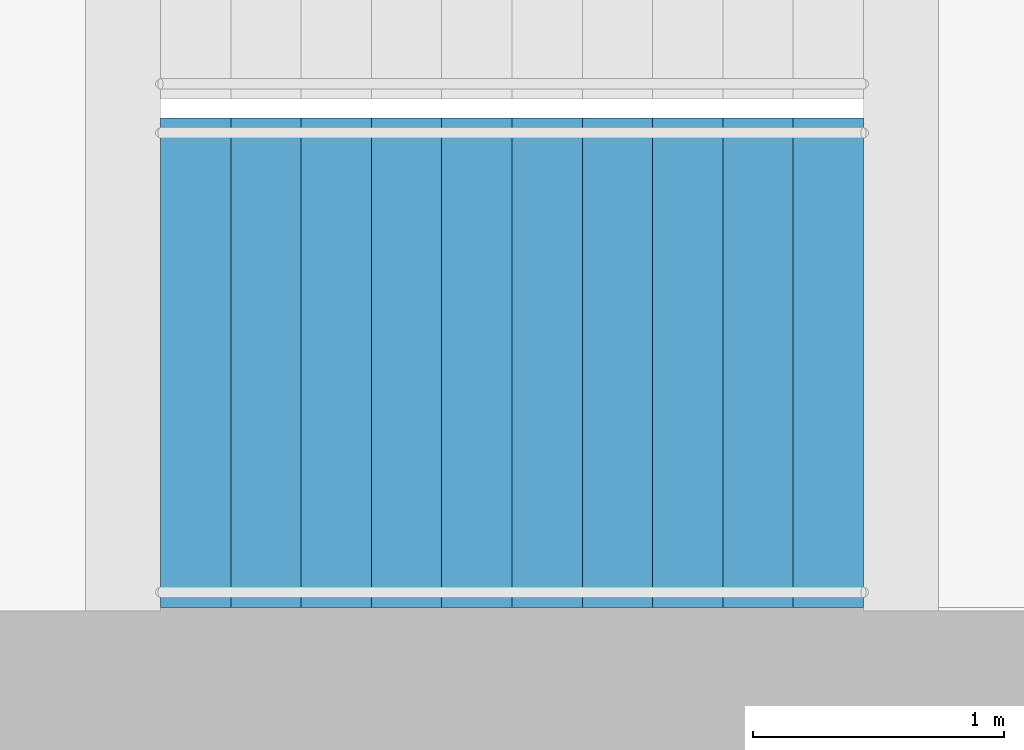
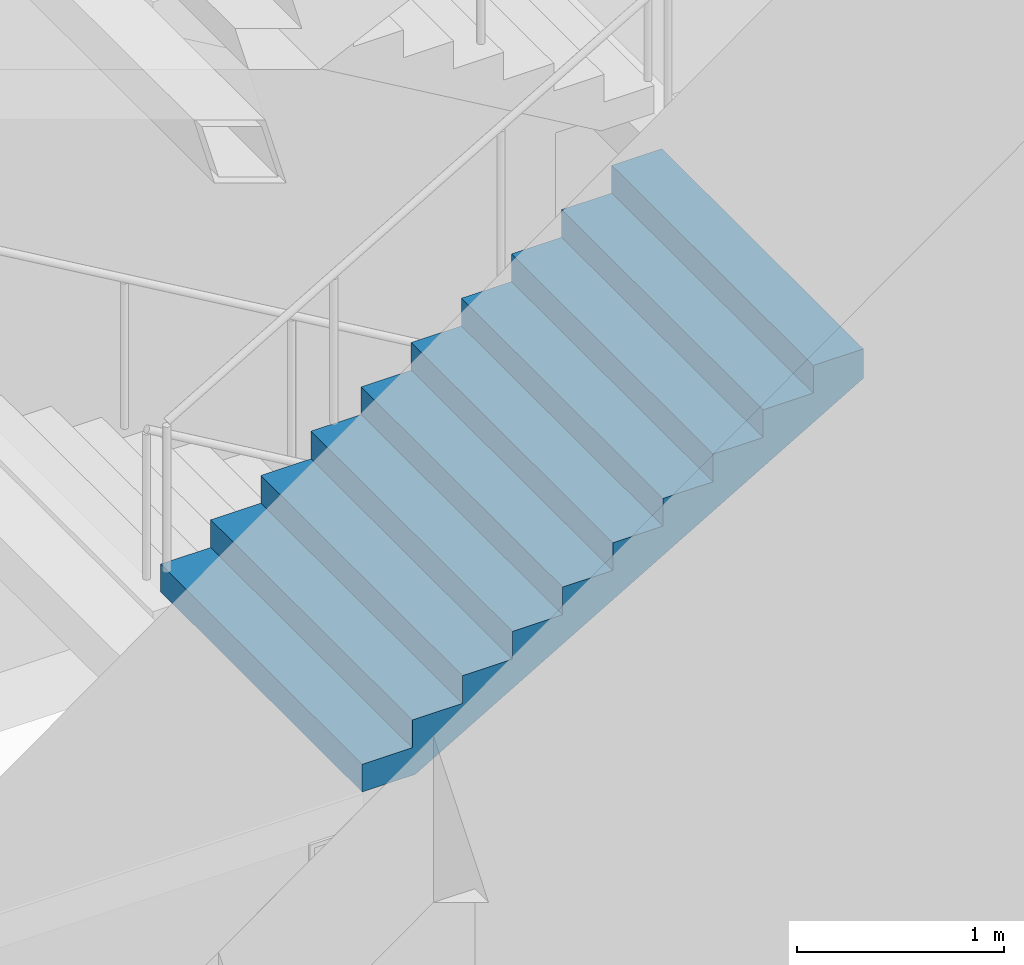
# One storey, part 18 of 22: 1 stair flight, 1 element without a shape of its own.
"""IFC4 building model written with IfcOpenShell, lengths in metres."""

from ifc_helpers import new_model, si_unit, direction, frame, origin, place, context, subcontext, project, spatial, triangles, material, type_object, element, aggregate, save


model = new_model("IFC4")

# Units and contexts
model_context = context("Model", 3, precision=1e-05, world=origin(), true_north=direction((0.0, 1.0)))
body_context = subcontext(model_context, "Body", "Model", "MODEL_VIEW")
ifc_project = project(units=[si_unit("LENGTHUNIT", "METRE"), si_unit("AREAUNIT", "SQUARE_METRE"), si_unit("VOLUMEUNIT", "CUBIC_METRE"), si_unit("PLANEANGLEUNIT", "RADIAN"), si_unit("MASSUNIT", "GRAM", prefix="KILO")], contexts=[model_context])

# Site, building, storey
site_placement = place(None, origin())
site = spatial("IfcSite", under=ifc_project, at=site_placement, CompositionType="ELEMENT")
building_placement = place(site_placement, origin())
building = spatial("IfcBuilding", under=site, at=building_placement, Name="Orbita Commons", CompositionType="ELEMENT")
storey_placement = place(building_placement, frame((0.0, 0.0, 133.14990234375)))
storey = spatial("IfcBuildingStorey", under=building, at=storey_placement, Name="L33", CompositionType="ELEMENT", Elevation=133.14990234375)

# Stair, stair flight
ifc_material_1 = material(Name="Precast concrete C40/50", Category="concrete")
stair_type = type_object("IfcStairType", Name="Exit stair S2 4 flights 11 risers 164", PredefinedType="HALF_TURN_STAIR", material=ifc_material_1)
stair_placement = place(storey_placement, origin())
stair = element("IfcStair", 1, at=stair_placement, inside=storey, type_object=stair_type, Name="Exit stair S2 L33", PredefinedType="HALF_TURN_STAIR")
ifc_material_2 = material(Name="Precast concrete C40/50", Category="concrete")
stair_flight_type = type_object("IfcStairFlightType", Name="Stair flight 11 risers 164 x 280", PredefinedType="STRAIGHT", material=ifc_material_2)
stair_flight_placement = place(storey_placement, frame((60.75, 27.25, 1.800048828125), z_axis=(0.0, 0.0, 1.0), x_axis=(1.0, 0.0, 0.0)))
stair_flight = element("IfcStairFlight", 2, at=stair_flight_placement, type_object=stair_flight_type, Name="S2 flight 2", NumberOfRisers=11, NumberOfTreads=10, PredefinedType="STRAIGHT", RiserHeight=0.163636364, TreadLength=0.28, context=body_context, shape_type="Tessellation", body=[
    triangles([(0.0, 0.974976, 0.0), (0.0, 0.974976, 0.020455), (0.0, 0.81248, 0.020455), (0.0, 0.81248, 0.0), (0.0, 0.649984, 0.020455), (0.0, 0.649984, 0.0), (0.0, 0.487488, 0.020455), (0.0, 0.487488, 0.0), (0.0, 0.324992, 0.020455), (0.0, 0.324992, 0.0), (0.0, 0.162496, 0.020455), (0.0, 0.162496, 0.0), (0.0, 0.0, 0.020455), (0.0, 0.0, 0.0), (0.0, -0.162496, 0.020455), (0.0, -0.162496, 0.0), (0.0, -0.324992, 0.020455), (0.0, -0.324992, 0.0), (0.0, -0.487488, 0.020455), (0.0, -0.487488, 0.0), (0.0, -0.649984, 0.020455), (0.0, -0.649984, 0.0), (0.0, -0.81248, 0.020455), (0.0, -0.81248, 0.0), (0.0, -0.974976, 0.020455), (0.0, -0.974976, 0.0), (0.0, 0.974976, 0.040909), (0.0, 0.81248, 0.040909), (0.0, 0.649984, 0.040909), (0.0, 0.487488, 0.040909), (0.0, 0.324992, 0.040909), (0.0, 0.162496, 0.040909), (0.0, 0.0, 0.040909), (0.0, -0.162496, 0.040909), (0.0, -0.324992, 0.040909), (0.0, -0.487488, 0.040909), (0.0, -0.649984, 0.040909), (0.0, -0.81248, 0.040909), (0.0, -0.974976, 0.040909), (0.0, 0.974976, 0.061364), (0.0, 0.81248, 0.061364), (0.0, 0.649984, 0.061364), (0.0, 0.487488, 0.061364), (0.0, 0.324992, 0.061364), (0.0, 0.162496, 0.061364), (0.0, 0.0, 0.061364), (0.0, -0.162496, 0.061364), (0.0, -0.324992, 0.061364), (0.0, -0.487488, 0.061364), (0.0, -0.649984, 0.061364), (0.0, -0.81248, 0.061364), (0.0, -0.974976, 0.061364), (0.0, 0.974976, 0.081818), (0.0, 0.81248, 0.081818), (0.0, 0.649984, 0.081818), (0.0, 0.487488, 0.081818), (0.0, 0.324992, 0.081818), (0.0, 0.162496, 0.081818), (0.0, 0.0, 0.081818), (0.0, -0.162496, 0.081818), (0.0, -0.324992, 0.081818), (0.0, -0.487488, 0.081818), (0.0, -0.649984, 0.081818), (0.0, -0.81248, 0.081818), (0.0, -0.974976, 0.081818), (0.0, 0.974976, 0.102273), (0.0, 0.81248, 0.102273), (0.0, 0.649984, 0.102273), (0.0, 0.487488, 0.102273), (0.0, 0.324992, 0.102273), (0.0, 0.162496, 0.102273), (0.0, 0.0, 0.102273), (0.0, -0.162496, 0.102273), (0.0, -0.324992, 0.102273), (0.0, -0.487488, 0.102273), (0.0, -0.649984, 0.102273), (0.0, -0.81248, 0.102273), (0.0, -0.974976, 0.102273), (0.0, 0.974976, 0.122727), (0.0, 0.81248, 0.122727), (0.0, 0.649984, 0.122727), (0.0, 0.487488, 0.122727), (0.0, 0.324992, 0.122727), (0.0, 0.162496, 0.122727), (0.0, 0.0, 0.122727), (0.0, -0.162496, 0.122727), (0.0, -0.324992, 0.122727), (0.0, -0.487488, 0.122727), (0.0, -0.649984, 0.122727), (0.0, -0.81248, 0.122727), (0.0, -0.974976, 0.122727), (0.0, 0.974976, 0.143182), (0.0, 0.81248, 0.143182), (0.0, 0.649984, 0.143182), (0.0, 0.487488, 0.143182), (0.0, 0.324992, 0.143182), (0.0, 0.162496, 0.143182), (0.0, 0.0, 0.143182), (0.0, -0.162496, 0.143182), (0.0, -0.324992, 0.143182), (0.0, -0.487488, 0.143182), (0.0, -0.649984, 0.143182), (0.0, -0.81248, 0.143182), (0.0, -0.974976, 0.143182), (0.0, 0.974976, 0.163636), (0.0, 0.81248, 0.163636), (0.0, 0.649984, 0.163636), (0.0, 0.487488, 0.163636), (0.0, 0.324992, 0.163636), (0.0, 0.162496, 0.163636), (0.0, 0.0, 0.163636), (0.0, -0.162496, 0.163636), (0.0, -0.324992, 0.163636), (0.0, -0.487488, 0.163636), (0.0, -0.649984, 0.163636), (0.0, -0.81248, 0.163636), (0.0, -0.974976, 0.163636), (0.28, 0.974976, 0.163636), (0.28, 0.81248, 0.163636), (0.28, 0.649984, 0.163636), (0.28, 0.487488, 0.163636), (0.28, 0.324992, 0.163636), (0.28, 0.162496, 0.163636), (0.28, 0.0, 0.163636), (0.28, -0.162496, 0.163636), (0.28, -0.324992, 0.163636), (0.28, -0.487488, 0.163636), (0.28, -0.649984, 0.163636), (0.28, -0.81248, 0.163636), (0.28, -0.974976, 0.163636), (0.28, 0.974976, 0.327273), (0.28, 0.81248, 0.327273), (0.28, 0.649984, 0.327273), (0.28, 0.487488, 0.327273), (0.28, 0.324992, 0.327273), (0.28, 0.162496, 0.327273), (0.28, 0.0, 0.327273), (0.28, -0.162496, 0.327273), (0.28, -0.324992, 0.327273), (0.28, -0.487488, 0.327273), (0.28, -0.649984, 0.327273), (0.28, -0.81248, 0.327273), (0.28, -0.974976, 0.327273), (0.56, 0.974976, 0.327273), (0.56, 0.81248, 0.327273), (0.56, 0.649984, 0.327273), (0.56, 0.487488, 0.327273), (0.56, 0.324992, 0.327273), (0.56, 0.162496, 0.327273), (0.56, 0.0, 0.327273), (0.56, -0.162496, 0.327273), (0.56, -0.324992, 0.327273), (0.56, -0.487488, 0.327273), (0.56, -0.649984, 0.327273), (0.56, -0.81248, 0.327273), (0.56, -0.974976, 0.327273), (0.56, 0.974976, 0.490909), (0.56, 0.81248, 0.490909), (0.56, 0.649984, 0.490909), (0.56, 0.487488, 0.490909), (0.56, 0.324992, 0.490909), (0.56, 0.162496, 0.490909), (0.56, 0.0, 0.490909), (0.56, -0.162496, 0.490909), (0.56, -0.324992, 0.490909), (0.56, -0.487488, 0.490909), (0.56, -0.649984, 0.490909), (0.56, -0.81248, 0.490909), (0.56, -0.974976, 0.490909), (0.84, 0.974976, 0.490909), (0.84, 0.81248, 0.490909), (0.84, 0.649984, 0.490909), (0.84, 0.487488, 0.490909), (0.84, 0.324992, 0.490909), (0.84, 0.162496, 0.490909), (0.84, 0.0, 0.490909), (0.84, -0.162496, 0.490909), (0.84, -0.324992, 0.490909), (0.84, -0.487488, 0.490909), (0.84, -0.649984, 0.490909), (0.84, -0.81248, 0.490909), (0.84, -0.974976, 0.490909), (0.84, 0.974976, 0.654545), (0.84, 0.81248, 0.654545), (0.84, 0.649984, 0.654545), (0.84, 0.487488, 0.654545), (0.84, 0.324992, 0.654545), (0.84, 0.162496, 0.654545), (0.84, 0.0, 0.654545), (0.84, -0.162496, 0.654545), (0.84, -0.324992, 0.654545), (0.84, -0.487488, 0.654545), (0.84, -0.649984, 0.654545), (0.84, -0.81248, 0.654545), (0.84, -0.974976, 0.654545), (1.12, 0.974976, 0.654545), (1.12, 0.81248, 0.654545), (1.12, 0.649984, 0.654545), (1.12, 0.487488, 0.654545), (1.12, 0.324992, 0.654545), (1.12, 0.162496, 0.654545), (1.12, 0.0, 0.654545), (1.12, -0.162496, 0.654545), (1.12, -0.324992, 0.654545), (1.12, -0.487488, 0.654545), (1.12, -0.649984, 0.654545), (1.12, -0.81248, 0.654545), (1.12, -0.974976, 0.654545), (1.12, 0.974976, 0.818182), (1.12, 0.81248, 0.818182), (1.12, 0.649984, 0.818182), (1.12, 0.487488, 0.818182), (1.12, 0.324992, 0.818182), (1.12, 0.162496, 0.818182), (1.12, 0.0, 0.818182), (1.12, -0.162496, 0.818182), (1.12, -0.324992, 0.818182), (1.12, -0.487488, 0.818182), (1.12, -0.649984, 0.818182), (1.12, -0.81248, 0.818182), (1.12, -0.974976, 0.818182), (1.4, 0.974976, 0.818182), (1.4, 0.81248, 0.818182), (1.4, 0.649984, 0.818182), (1.4, 0.487488, 0.818182), (1.4, 0.324992, 0.818182), (1.4, 0.162496, 0.818182), (1.4, 0.0, 0.818182), (1.4, -0.162496, 0.818182), (1.4, -0.324992, 0.818182), (1.4, -0.487488, 0.818182), (1.4, -0.649984, 0.818182), (1.4, -0.81248, 0.818182), (1.4, -0.974976, 0.818182), (1.4, 0.974976, 0.981818), (1.4, 0.81248, 0.981818), (1.4, 0.649984, 0.981818), (1.4, 0.487488, 0.981818), (1.4, 0.324992, 0.981818), (1.4, 0.162496, 0.981818), (1.4, 0.0, 0.981818), (1.4, -0.162496, 0.981818), (1.4, -0.324992, 0.981818), (1.4, -0.487488, 0.981818), (1.4, -0.649984, 0.981818), (1.4, -0.81248, 0.981818), (1.4, -0.974976, 0.981818), (1.68, 0.974976, 0.981818), (1.68, 0.81248, 0.981818), (1.68, 0.649984, 0.981818), (1.68, 0.487488, 0.981818), (1.68, 0.324992, 0.981818), (1.68, 0.162496, 0.981818), (1.68, 0.0, 0.981818), (1.68, -0.162496, 0.981818), (1.68, -0.324992, 0.981818), (1.68, -0.487488, 0.981818), (1.68, -0.649984, 0.981818), (1.68, -0.81248, 0.981818), (1.68, -0.974976, 0.981818), (1.68, 0.974976, 1.145455), (1.68, 0.81248, 1.145455), (1.68, 0.649984, 1.145455), (1.68, 0.487488, 1.145455), (1.68, 0.324992, 1.145455), (1.68, 0.162496, 1.145455), (1.68, 0.0, 1.145455), (1.68, -0.162496, 1.145455), (1.68, -0.324992, 1.145455), (1.68, -0.487488, 1.145455), (1.68, -0.649984, 1.145455), (1.68, -0.81248, 1.145455), (1.68, -0.974976, 1.145455), (1.96, 0.974976, 1.145455), (1.96, 0.81248, 1.145455), (1.96, 0.649984, 1.145455), (1.96, 0.487488, 1.145455), (1.96, 0.324992, 1.145455), (1.96, 0.162496, 1.145455), (1.96, 0.0, 1.145455), (1.96, -0.162496, 1.145455), (1.96, -0.324992, 1.145455), (1.96, -0.487488, 1.145455), (1.96, -0.649984, 1.145455), (1.96, -0.81248, 1.145455), (1.96, -0.974976, 1.145455), (1.96, 0.974976, 1.309091), (1.96, 0.81248, 1.309091), (1.96, 0.649984, 1.309091), (1.96, 0.487488, 1.309091), (1.96, 0.324992, 1.309091), (1.96, 0.162496, 1.309091), (1.96, 0.0, 1.309091), (1.96, -0.162496, 1.309091), (1.96, -0.324992, 1.309091), (1.96, -0.487488, 1.309091), (1.96, -0.649984, 1.309091), (1.96, -0.81248, 1.309091), (1.96, -0.974976, 1.309091), (2.24, 0.974976, 1.309091), (2.24, 0.81248, 1.309091), (2.24, 0.649984, 1.309091), (2.24, 0.487488, 1.309091), (2.24, 0.324992, 1.309091), (2.24, 0.162496, 1.309091), (2.24, 0.0, 1.309091), (2.24, -0.162496, 1.309091), (2.24, -0.324992, 1.309091), (2.24, -0.487488, 1.309091), (2.24, -0.649984, 1.309091), (2.24, -0.81248, 1.309091), (2.24, -0.974976, 1.309091), (2.24, 0.974976, 1.472727), (2.24, 0.81248, 1.472727), (2.24, 0.649984, 1.472727), (2.24, 0.487488, 1.472727), (2.24, 0.324992, 1.472727), (2.24, 0.162496, 1.472727), (2.24, 0.0, 1.472727), (2.24, -0.162496, 1.472727), (2.24, -0.324992, 1.472727), (2.24, -0.487488, 1.472727), (2.24, -0.649984, 1.472727), (2.24, -0.81248, 1.472727), (2.24, -0.974976, 1.472727), (2.52, 0.974976, 1.472727), (2.52, 0.81248, 1.472727), (2.52, 0.649984, 1.472727), (2.52, 0.487488, 1.472727), (2.52, 0.324992, 1.472727), (2.52, 0.162496, 1.472727), (2.52, 0.0, 1.472727), (2.52, -0.162496, 1.472727), (2.52, -0.324992, 1.472727), (2.52, -0.487488, 1.472727), (2.52, -0.649984, 1.472727), (2.52, -0.81248, 1.472727), (2.52, -0.974976, 1.472727), (2.52, 0.974976, 1.636364), (2.52, 0.81248, 1.636364), (2.52, 0.649984, 1.636364), (2.52, 0.487488, 1.636364), (2.52, 0.324992, 1.636364), (2.52, 0.162496, 1.636364), (2.52, 0.0, 1.636364), (2.52, -0.162496, 1.636364), (2.52, -0.324992, 1.636364), (2.52, -0.487488, 1.636364), (2.52, -0.649984, 1.636364), (2.52, -0.81248, 1.636364), (2.52, -0.974976, 1.636364), (2.8, 0.974976, 1.636364), (2.8, 0.81248, 1.636364), (2.8, 0.649984, 1.636364), (2.8, 0.487488, 1.636364), (2.8, 0.324992, 1.636364), (2.8, 0.162496, 1.636364), (2.8, 0.0, 1.636364), (2.8, -0.162496, 1.636364), (2.8, -0.324992, 1.636364), (2.8, -0.487488, 1.636364), (2.8, -0.649984, 1.636364), (2.8, -0.81248, 1.636364), (2.8, -0.974976, 1.636364), (2.8, 0.974976, 1.614661), (2.8, 0.81248, 1.614661), (2.8, 0.649984, 1.614661), (2.8, 0.487488, 1.614661), (2.8, 0.324992, 1.614661), (2.8, 0.162496, 1.614661), (2.8, 0.0, 1.614661), (2.8, -0.162496, 1.614661), (2.8, -0.324992, 1.614661), (2.8, -0.487488, 1.614661), (2.8, -0.649984, 1.614661), (2.8, -0.81248, 1.614661), (2.8, -0.974976, 1.614661), (2.8, 0.974976, 1.592958), (2.8, 0.81248, 1.592958), (2.8, 0.649984, 1.592958), (2.8, 0.487488, 1.592958), (2.8, 0.324992, 1.592958), (2.8, 0.162496, 1.592958), (2.8, 0.0, 1.592958), (2.8, -0.162496, 1.592958), (2.8, -0.324992, 1.592958), (2.8, -0.487488, 1.592958), (2.8, -0.649984, 1.592958), (2.8, -0.81248, 1.592958), (2.8, -0.974976, 1.592958), (2.8, 0.974976, 1.571255), (2.8, 0.81248, 1.571255), (2.8, 0.649984, 1.571255), (2.8, 0.487488, 1.571255), (2.8, 0.324992, 1.571255), (2.8, 0.162496, 1.571255), (2.8, 0.0, 1.571255), (2.8, -0.162496, 1.571255), (2.8, -0.324992, 1.571255), (2.8, -0.487488, 1.571255), (2.8, -0.649984, 1.571255), (2.8, -0.81248, 1.571255), (2.8, -0.974976, 1.571255), (2.8, 0.974976, 1.549551), (2.8, 0.81248, 1.549551), (2.8, 0.649984, 1.549551), (2.8, 0.487488, 1.549551), (2.8, 0.324992, 1.549551), (2.8, 0.162496, 1.549551), (2.8, 0.0, 1.549551), (2.8, -0.162496, 1.549551), (2.8, -0.324992, 1.549551), (2.8, -0.487488, 1.549551), (2.8, -0.649984, 1.549551), (2.8, -0.81248, 1.549551), (2.8, -0.974976, 1.549551), (2.8, 0.974976, 1.527848), (2.8, 0.81248, 1.527848), (2.8, 0.649984, 1.527848), (2.8, 0.487488, 1.527848), (2.8, 0.324992, 1.527848), (2.8, 0.162496, 1.527848), (2.8, 0.0, 1.527848), (2.8, -0.162496, 1.527848), (2.8, -0.324992, 1.527848), (2.8, -0.487488, 1.527848), (2.8, -0.649984, 1.527848), (2.8, -0.81248, 1.527848), (2.8, -0.974976, 1.527848), (2.8, 0.974976, 1.506145), (2.8, 0.81248, 1.506145), (2.8, 0.649984, 1.506145), (2.8, 0.487488, 1.506145), (2.8, 0.324992, 1.506145), (2.8, 0.162496, 1.506145), (2.8, 0.0, 1.506145), (2.8, -0.162496, 1.506145), (2.8, -0.324992, 1.506145), (2.8, -0.487488, 1.506145), (2.8, -0.649984, 1.506145), (2.8, -0.81248, 1.506145), (2.8, -0.974976, 1.506145), (2.8, 0.974976, 1.484442), (2.8, 0.81248, 1.484442), (2.8, 0.649984, 1.484442), (2.8, 0.487488, 1.484442), (2.8, 0.324992, 1.484442), (2.8, 0.162496, 1.484442), (2.8, 0.0, 1.484442), (2.8, -0.162496, 1.484442), (2.8, -0.324992, 1.484442), (2.8, -0.487488, 1.484442), (2.8, -0.649984, 1.484442), (2.8, -0.81248, 1.484442), (2.8, -0.974976, 1.484442), (2.8, 0.974976, 1.462739), (2.8, 0.81248, 1.462739), (2.8, 0.649984, 1.462739), (2.8, 0.487488, 1.462739), (2.8, 0.324992, 1.462739), (2.8, 0.162496, 1.462739), (2.8, 0.0, 1.462739), (2.8, -0.162496, 1.462739), (2.8, -0.324992, 1.462739), (2.8, -0.487488, 1.462739), (2.8, -0.649984, 1.462739), (2.8, -0.81248, 1.462739), (2.8, -0.974976, 1.462739), (0.29709, 0.974976, 0.0), (0.29709, 0.81248, 0.0), (0.29709, 0.649984, 0.0), (0.29709, 0.487488, 0.0), (0.29709, 0.324992, 0.0), (0.29709, 0.162496, 0.0), (0.29709, 0.0, 0.0), (0.29709, -0.162496, 0.0), (0.29709, -0.324992, 0.0), (0.29709, -0.487488, 0.0), (0.29709, -0.649984, 0.0), (0.29709, -0.81248, 0.0), (0.29709, -0.974976, 0.0)], [[3, 2, 1], [4, 3, 1], [5, 3, 4], [6, 5, 4], [7, 5, 6], [8, 7, 6], [9, 7, 8], [10, 9, 8], [11, 9, 10], [12, 11, 10], [13, 11, 12], [14, 13, 12], [15, 13, 14], [16, 15, 14], [17, 15, 16], [18, 17, 16], [19, 17, 18], [20, 19, 18], [21, 19, 20], [22, 21, 20], [23, 21, 22], [24, 23, 22], [25, 23, 24], [26, 25, 24], [28, 27, 2], [3, 28, 2], [29, 28, 3], [5, 29, 3], [30, 29, 5], [7, 30, 5], [31, 30, 7], [9, 31, 7], [32, 31, 9], [11, 32, 9], [33, 32, 11], [13, 33, 11], [34, 33, 13], [15, 34, 13], [35, 34, 15], [17, 35, 15], [36, 35, 17], [19, 36, 17], [37, 36, 19], [21, 37, 19], [38, 37, 21], [23, 38, 21], [39, 38, 23], [25, 39, 23], [41, 40, 27], [28, 41, 27], [42, 41, 28], [29, 42, 28], [43, 42, 29], [30, 43, 29], [44, 43, 30], [31, 44, 30], [45, 44, 31], [32, 45, 31], [46, 45, 32], [33, 46, 32], [47, 46, 33], [34, 47, 33], [48, 47, 34], [35, 48, 34], [49, 48, 35], [36, 49, 35], [50, 49, 36], [37, 50, 36], [51, 50, 37], [38, 51, 37], [52, 51, 38], [39, 52, 38], [54, 53, 40], [41, 54, 40], [55, 54, 41], [42, 55, 41], [56, 55, 42], [43, 56, 42], [57, 56, 43], [44, 57, 43], [58, 57, 44], [45, 58, 44], [59, 58, 45], [46, 59, 45], [60, 59, 46], [47, 60, 46], [61, 60, 47], [48, 61, 47], [62, 61, 48], [49, 62, 48], [63, 62, 49], [50, 63, 49], [64, 63, 50], [51, 64, 50], [65, 64, 51], [52, 65, 51], [67, 66, 53], [54, 67, 53], [68, 67, 54], [55, 68, 54], [69, 68, 55], [56, 69, 55], [70, 69, 56], [57, 70, 56], [71, 70, 57], [58, 71, 57], [72, 71, 58], [59, 72, 58], [73, 72, 59], [60, 73, 59], [74, 73, 60], [61, 74, 60], [75, 74, 61], [62, 75, 61], [76, 75, 62], [63, 76, 62], [77, 76, 63], [64, 77, 63], [78, 77, 64], [65, 78, 64], [80, 79, 66], [67, 80, 66], [81, 80, 67], [68, 81, 67], [82, 81, 68], [69, 82, 68], [83, 82, 69], [70, 83, 69], [84, 83, 70], [71, 84, 70], [85, 84, 71], [72, 85, 71], [86, 85, 72], [73, 86, 72], [87, 86, 73], [74, 87, 73], [88, 87, 74], [75, 88, 74], [89, 88, 75], [76, 89, 75], [90, 89, 76], [77, 90, 76], [91, 90, 77], [78, 91, 77], [93, 92, 79], [80, 93, 79], [94, 93, 80], [81, 94, 80], [95, 94, 81], [82, 95, 81], [96, 95, 82], [83, 96, 82], [97, 96, 83], [84, 97, 83], [98, 97, 84], [85, 98, 84], [99, 98, 85], [86, 99, 85], [100, 99, 86], [87, 100, 86], [101, 100, 87], [88, 101, 87], [102, 101, 88], [89, 102, 88], [103, 102, 89], [90, 103, 89], [104, 103, 90], [91, 104, 90], [106, 105, 92], [93, 106, 92], [107, 106, 93], [94, 107, 93], [108, 107, 94], [95, 108, 94], [109, 108, 95], [96, 109, 95], [110, 109, 96], [97, 110, 96], [111, 110, 97], [98, 111, 97], [112, 111, 98], [99, 112, 98], [113, 112, 99], [100, 113, 99], [114, 113, 100], [101, 114, 100], [115, 114, 101], [102, 115, 101], [116, 115, 102], [103, 116, 102], [117, 116, 103], [104, 117, 103], [119, 118, 105], [106, 119, 105], [120, 119, 106], [107, 120, 106], [121, 120, 107], [108, 121, 107], [122, 121, 108], [109, 122, 108], [123, 122, 109], [110, 123, 109], [124, 123, 110], [111, 124, 110], [125, 124, 111], [112, 125, 111], [126, 125, 112], [113, 126, 112], [127, 126, 113], [114, 127, 113], [128, 127, 114], [115, 128, 114], [129, 128, 115], [116, 129, 115], [130, 129, 116], [117, 130, 116], [132, 131, 118], [119, 132, 118], [133, 132, 119], [120, 133, 119], [134, 133, 120], [121, 134, 120], [135, 134, 121], [122, 135, 121], [136, 135, 122], [123, 136, 122], [137, 136, 123], [124, 137, 123], [138, 137, 124], [125, 138, 124], [139, 138, 125], [126, 139, 125], [140, 139, 126], [127, 140, 126], [141, 140, 127], [128, 141, 127], [142, 141, 128], [129, 142, 128], [143, 142, 129], [130, 143, 129], [145, 144, 131], [132, 145, 131], [146, 145, 132], [133, 146, 132], [147, 146, 133], [134, 147, 133], [148, 147, 134], [135, 148, 134], [149, 148, 135], [136, 149, 135], [150, 149, 136], [137, 150, 136], [151, 150, 137], [138, 151, 137], [152, 151, 138], [139, 152, 138], [153, 152, 139], [140, 153, 139], [154, 153, 140], [141, 154, 140], [155, 154, 141], [142, 155, 141], [156, 155, 142], [143, 156, 142], [158, 157, 144], [145, 158, 144], [159, 158, 145], [146, 159, 145], [160, 159, 146], [147, 160, 146], [161, 160, 147], [148, 161, 147], [162, 161, 148], [149, 162, 148], [163, 162, 149], [150, 163, 149], [164, 163, 150], [151, 164, 150], [165, 164, 151], [152, 165, 151], [166, 165, 152], [153, 166, 152], [167, 166, 153], [154, 167, 153], [168, 167, 154], [155, 168, 154], [169, 168, 155], [156, 169, 155], [171, 170, 157], [158, 171, 157], [172, 171, 158], [159, 172, 158], [173, 172, 159], [160, 173, 159], [174, 173, 160], [161, 174, 160], [175, 174, 161], [162, 175, 161], [176, 175, 162], [163, 176, 162], [177, 176, 163], [164, 177, 163], [178, 177, 164], [165, 178, 164], [179, 178, 165], [166, 179, 165], [180, 179, 166], [167, 180, 166], [181, 180, 167], [168, 181, 167], [182, 181, 168], [169, 182, 168], [184, 183, 170], [171, 184, 170], [185, 184, 171], [172, 185, 171], [186, 185, 172], [173, 186, 172], [187, 186, 173], [174, 187, 173], [188, 187, 174], [175, 188, 174], [189, 188, 175], [176, 189, 175], [190, 189, 176], [177, 190, 176], [191, 190, 177], [178, 191, 177], [192, 191, 178], [179, 192, 178], [193, 192, 179], [180, 193, 179], [194, 193, 180], [181, 194, 180], [195, 194, 181], [182, 195, 181], [197, 196, 183], [184, 197, 183], [198, 197, 184], [185, 198, 184], [199, 198, 185], [186, 199, 185], [200, 199, 186], [187, 200, 186], [201, 200, 187], [188, 201, 187], [202, 201, 188], [189, 202, 188], [203, 202, 189], [190, 203, 189], [204, 203, 190], [191, 204, 190], [205, 204, 191], [192, 205, 191], [206, 205, 192], [193, 206, 192], [207, 206, 193], [194, 207, 193], [208, 207, 194], [195, 208, 194], [210, 209, 196], [197, 210, 196], [211, 210, 197], [198, 211, 197], [212, 211, 198], [199, 212, 198], [213, 212, 199], [200, 213, 199], [214, 213, 200], [201, 214, 200], [215, 214, 201], [202, 215, 201], [216, 215, 202], [203, 216, 202], [217, 216, 203], [204, 217, 203], [218, 217, 204], [205, 218, 204], [219, 218, 205], [206, 219, 205], [220, 219, 206], [207, 220, 206], [221, 220, 207], [208, 221, 207], [223, 222, 209], [210, 223, 209], [224, 223, 210], [211, 224, 210], [225, 224, 211], [212, 225, 211], [226, 225, 212], [213, 226, 212], [227, 226, 213], [214, 227, 213], [228, 227, 214], [215, 228, 214], [229, 228, 215], [216, 229, 215], [230, 229, 216], [217, 230, 216], [231, 230, 217], [218, 231, 217], [232, 231, 218], [219, 232, 218], [233, 232, 219], [220, 233, 219], [234, 233, 220], [221, 234, 220], [236, 235, 222], [223, 236, 222], [237, 236, 223], [224, 237, 223], [238, 237, 224], [225, 238, 224], [239, 238, 225], [226, 239, 225], [240, 239, 226], [227, 240, 226], [241, 240, 227], [228, 241, 227], [242, 241, 228], [229, 242, 228], [243, 242, 229], [230, 243, 229], [244, 243, 230], [231, 244, 230], [245, 244, 231], [232, 245, 231], [246, 245, 232], [233, 246, 232], [247, 246, 233], [234, 247, 233], [249, 248, 235], [236, 249, 235], [250, 249, 236], [237, 250, 236], [251, 250, 237], [238, 251, 237], [252, 251, 238], [239, 252, 238], [253, 252, 239], [240, 253, 239], [254, 253, 240], [241, 254, 240], [255, 254, 241], [242, 255, 241], [256, 255, 242], [243, 256, 242], [257, 256, 243], [244, 257, 243], [258, 257, 244], [245, 258, 244], [259, 258, 245], [246, 259, 245], [260, 259, 246], [247, 260, 246], [262, 261, 248], [249, 262, 248], [263, 262, 249], [250, 263, 249], [264, 263, 250], [251, 264, 250], [265, 264, 251], [252, 265, 251], [266, 265, 252], [253, 266, 252], [267, 266, 253], [254, 267, 253], [268, 267, 254], [255, 268, 254], [269, 268, 255], [256, 269, 255], [270, 269, 256], [257, 270, 256], [271, 270, 257], [258, 271, 257], [272, 271, 258], [259, 272, 258], [273, 272, 259], [260, 273, 259], [275, 274, 261], [262, 275, 261], [276, 275, 262], [263, 276, 262], [277, 276, 263], [264, 277, 263], [278, 277, 264], [265, 278, 264], [279, 278, 265], [266, 279, 265], [280, 279, 266], [267, 280, 266], [281, 280, 267], [268, 281, 267], [282, 281, 268], [269, 282, 268], [283, 282, 269], [270, 283, 269], [284, 283, 270], [271, 284, 270], [285, 284, 271], [272, 285, 271], [286, 285, 272], [273, 286, 272], [288, 287, 274], [275, 288, 274], [289, 288, 275], [276, 289, 275], [290, 289, 276], [277, 290, 276], [291, 290, 277], [278, 291, 277], [292, 291, 278], [279, 292, 278], [293, 292, 279], [280, 293, 279], [294, 293, 280], [281, 294, 280], [295, 294, 281], [282, 295, 281], [296, 295, 282], [283, 296, 282], [297, 296, 283], [284, 297, 283], [298, 297, 284], [285, 298, 284], [299, 298, 285], [286, 299, 285], [301, 300, 287], [288, 301, 287], [302, 301, 288], [289, 302, 288], [303, 302, 289], [290, 303, 289], [304, 303, 290], [291, 304, 290], [305, 304, 291], [292, 305, 291], [306, 305, 292], [293, 306, 292], [307, 306, 293], [294, 307, 293], [308, 307, 294], [295, 308, 294], [309, 308, 295], [296, 309, 295], [310, 309, 296], [297, 310, 296], [311, 310, 297], [298, 311, 297], [312, 311, 298], [299, 312, 298], [314, 313, 300], [301, 314, 300], [315, 314, 301], [302, 315, 301], [316, 315, 302], [303, 316, 302], [317, 316, 303], [304, 317, 303], [318, 317, 304], [305, 318, 304], [319, 318, 305], [306, 319, 305], [320, 319, 306], [307, 320, 306], [321, 320, 307], [308, 321, 307], [322, 321, 308], [309, 322, 308], [323, 322, 309], [310, 323, 309], [324, 323, 310], [311, 324, 310], [325, 324, 311], [312, 325, 311], [327, 326, 313], [314, 327, 313], [328, 327, 314], [315, 328, 314], [329, 328, 315], [316, 329, 315], [330, 329, 316], [317, 330, 316], [331, 330, 317], [318, 331, 317], [332, 331, 318], [319, 332, 318], [333, 332, 319], [320, 333, 319], [334, 333, 320], [321, 334, 320], [335, 334, 321], [322, 335, 321], [336, 335, 322], [323, 336, 322], [337, 336, 323], [324, 337, 323], [338, 337, 324], [325, 338, 324], [340, 339, 326], [327, 340, 326], [341, 340, 327], [328, 341, 327], [342, 341, 328], [329, 342, 328], [343, 342, 329], [330, 343, 329], [344, 343, 330], [331, 344, 330], [345, 344, 331], [332, 345, 331], [346, 345, 332], [333, 346, 332], [347, 346, 333], [334, 347, 333], [348, 347, 334], [335, 348, 334], [349, 348, 335], [336, 349, 335], [350, 349, 336], [337, 350, 336], [351, 350, 337], [338, 351, 337], [353, 352, 339], [340, 353, 339], [354, 353, 340], [341, 354, 340], [355, 354, 341], [342, 355, 341], [356, 355, 342], [343, 356, 342], [357, 356, 343], [344, 357, 343], [358, 357, 344], [345, 358, 344], [359, 358, 345], [346, 359, 345], [360, 359, 346], [347, 360, 346], [361, 360, 347], [348, 361, 347], [362, 361, 348], [349, 362, 348], [363, 362, 349], [350, 363, 349], [364, 363, 350], [351, 364, 350], [366, 365, 352], [353, 366, 352], [367, 366, 353], [354, 367, 353], [368, 367, 354], [355, 368, 354], [369, 368, 355], [356, 369, 355], [370, 369, 356], [357, 370, 356], [371, 370, 357], [358, 371, 357], [372, 371, 358], [359, 372, 358], [373, 372, 359], [360, 373, 359], [374, 373, 360], [361, 374, 360], [375, 374, 361], [362, 375, 361], [376, 375, 362], [363, 376, 362], [377, 376, 363], [364, 377, 363], [379, 378, 365], [366, 379, 365], [380, 379, 366], [367, 380, 366], [381, 380, 367], [368, 381, 367], [382, 381, 368], [369, 382, 368], [383, 382, 369], [370, 383, 369], [384, 383, 370], [371, 384, 370], [385, 384, 371], [372, 385, 371], [386, 385, 372], [373, 386, 372], [387, 386, 373], [374, 387, 373], [388, 387, 374], [375, 388, 374], [389, 388, 375], [376, 389, 375], [390, 389, 376], [377, 390, 376], [392, 391, 378], [379, 392, 378], [393, 392, 379], [380, 393, 379], [394, 393, 380], [381, 394, 380], [395, 394, 381], [382, 395, 381], [396, 395, 382], [383, 396, 382], [397, 396, 383], [384, 397, 383], [398, 397, 384], [385, 398, 384], [399, 398, 385], [386, 399, 385], [400, 399, 386], [387, 400, 386], [401, 400, 387], [388, 401, 387], [402, 401, 388], [389, 402, 388], [403, 402, 389], [390, 403, 389], [405, 404, 391], [392, 405, 391], [406, 405, 392], [393, 406, 392], [407, 406, 393], [394, 407, 393], [408, 407, 394], [395, 408, 394], [409, 408, 395], [396, 409, 395], [410, 409, 396], [397, 410, 396], [411, 410, 397], [398, 411, 397], [412, 411, 398], [399, 412, 398], [413, 412, 399], [400, 413, 399], [414, 413, 400], [401, 414, 400], [415, 414, 401], [402, 415, 401], [416, 415, 402], [403, 416, 402], [418, 417, 404], [405, 418, 404], [419, 418, 405], [406, 419, 405], [420, 419, 406], [407, 420, 406], [421, 420, 407], [408, 421, 407], [422, 421, 408], [409, 422, 408], [423, 422, 409], [410, 423, 409], [424, 423, 410], [411, 424, 410], [425, 424, 411], [412, 425, 411], [426, 425, 412], [413, 426, 412], [427, 426, 413], [414, 427, 413], [428, 427, 414], [415, 428, 414], [429, 428, 415], [416, 429, 415], [431, 430, 417], [418, 431, 417], [432, 431, 418], [419, 432, 418], [433, 432, 419], [420, 433, 419], [434, 433, 420], [421, 434, 420], [435, 434, 421], [422, 435, 421], [436, 435, 422], [423, 436, 422], [437, 436, 423], [424, 437, 423], [438, 437, 424], [425, 438, 424], [439, 438, 425], [426, 439, 425], [440, 439, 426], [427, 440, 426], [441, 440, 427], [428, 441, 427], [442, 441, 428], [429, 442, 428], [444, 443, 430], [431, 444, 430], [445, 444, 431], [432, 445, 431], [446, 445, 432], [433, 446, 432], [447, 446, 433], [434, 447, 433], [448, 447, 434], [435, 448, 434], [449, 448, 435], [436, 449, 435], [450, 449, 436], [437, 450, 436], [451, 450, 437], [438, 451, 437], [452, 451, 438], [439, 452, 438], [453, 452, 439], [440, 453, 439], [454, 453, 440], [441, 454, 440], [455, 454, 441], [442, 455, 441], [457, 456, 443], [444, 457, 443], [458, 457, 444], [445, 458, 444], [459, 458, 445], [446, 459, 445], [460, 459, 446], [447, 460, 446], [461, 460, 447], [448, 461, 447], [462, 461, 448], [449, 462, 448], [463, 462, 449], [450, 463, 449], [464, 463, 450], [451, 464, 450], [465, 464, 451], [452, 465, 451], [466, 465, 452], [453, 466, 452], [467, 466, 453], [454, 467, 453], [468, 467, 454], [455, 468, 454], [470, 469, 456], [457, 470, 456], [471, 470, 457], [458, 471, 457], [472, 471, 458], [459, 472, 458], [473, 472, 459], [460, 473, 459], [474, 473, 460], [461, 474, 460], [475, 474, 461], [462, 475, 461], [476, 475, 462], [463, 476, 462], [477, 476, 463], [464, 477, 463], [478, 477, 464], [465, 478, 464], [479, 478, 465], [466, 479, 465], [480, 479, 466], [467, 480, 466], [481, 480, 467], [468, 481, 467], [4, 1, 469], [470, 4, 469], [6, 4, 470], [471, 6, 470], [8, 6, 471], [472, 8, 471], [10, 8, 472], [473, 10, 472], [12, 10, 473], [474, 12, 473], [14, 12, 474], [475, 14, 474], [16, 14, 475], [476, 16, 475], [18, 16, 476], [477, 18, 476], [20, 18, 477], [478, 20, 477], [22, 20, 478], [479, 22, 478], [24, 22, 479], [480, 24, 479], [26, 24, 480], [481, 26, 480], [456, 469, 1], [26, 481, 468], [443, 456, 1], [26, 468, 455], [430, 443, 1], [26, 455, 442], [417, 430, 1], [26, 442, 429], [404, 417, 1], [26, 429, 416], [391, 404, 1], [26, 416, 403], [378, 391, 1], [26, 403, 390], [365, 378, 1], [26, 390, 377], [339, 352, 365], [377, 364, 351], [326, 339, 365], [377, 351, 338], [300, 313, 326], [338, 325, 312], [300, 326, 365], [377, 338, 312], [274, 287, 300], [312, 299, 286], [274, 300, 365], [377, 312, 286], [248, 261, 274], [286, 273, 260], [248, 274, 365], [377, 286, 260], [222, 235, 248], [260, 247, 234], [222, 248, 365], [377, 260, 234], [196, 209, 222], [234, 221, 208], [196, 222, 365], [377, 234, 208], [170, 183, 196], [208, 195, 182], [170, 196, 365], [377, 208, 182], [144, 157, 170], [182, 169, 156], [144, 170, 365], [377, 182, 156], [118, 131, 144], [156, 143, 130], [118, 144, 365], [377, 156, 130], [118, 365, 1], [26, 377, 130], [92, 105, 118], [130, 117, 104], [79, 92, 118], [130, 104, 91], [66, 79, 118], [130, 91, 78], [53, 66, 118], [130, 78, 65], [40, 53, 118], [130, 65, 52], [27, 40, 118], [130, 52, 39], [2, 27, 118], [130, 39, 25], [1, 2, 118], [130, 25, 26]], closed=True),
])
aggregate(stair, [stair_flight])

save(model, "model.ifc")
